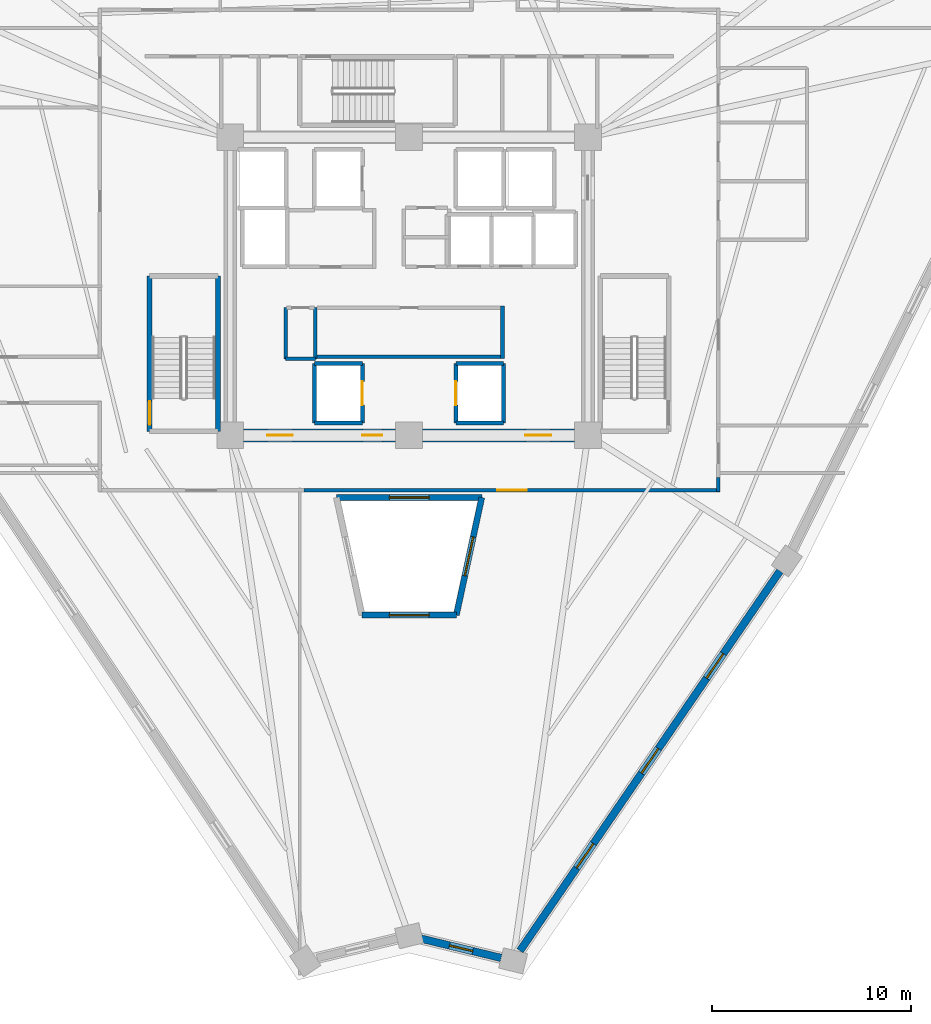
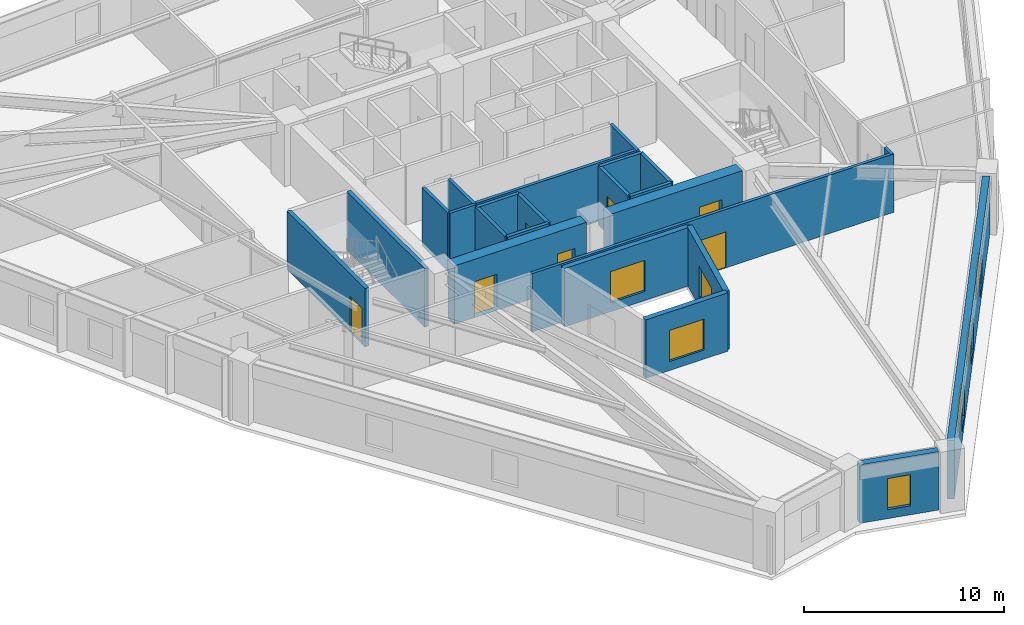
# One storey, part 3 of 8: 24 walls, 7 doors, 7 windows, 14 openings.
"""IFC4 building model written with IfcOpenShell, lengths in metres."""

from ifc_helpers import new_model, si_unit, direction, frame, frame_2d, origin, place, context, subcontext, project, spatial, rectangle, extrude, source, transform, mapped, material, layer, layer_set, type_object, element, fill, save


model = new_model("IFC4")

# Units and contexts
model_context = context("Model", 3, precision=1e-05, world=origin(), true_north=direction((0.0, 1.0)))
body_context = subcontext(model_context, "Body", "Model", "MODEL_VIEW")
ifc_project = project(units=[si_unit("LENGTHUNIT", "METRE"), si_unit("AREAUNIT", "SQUARE_METRE"), si_unit("VOLUMEUNIT", "CUBIC_METRE"), si_unit("PLANEANGLEUNIT", "RADIAN"), si_unit("MASSUNIT", "GRAM", prefix="KILO")], contexts=[model_context])

# Site, building, storey
site_placement = place(None, origin())
site = spatial("IfcSite", under=ifc_project, at=site_placement, CompositionType="ELEMENT")
building_placement = place(site_placement, origin())
building = spatial("IfcBuilding", under=site, at=building_placement, Name="Liaohun Quay Tower", CompositionType="ELEMENT")
storey_placement = place(building_placement, frame((0.0, 0.0, 247.5)))
storey = spatial("IfcBuildingStorey", under=building, at=storey_placement, Name="L64", CompositionType="ELEMENT", Elevation=247.5)

# Wall, opening, window
ifc_material_1 = material(Name="Concrete C50", Category="concrete")
ifc_layer_1 = layer(ifc_material_1, 0.300048828125, Name="Concrete C50", Category="concrete")
ifc_layer_set_1 = layer_set([ifc_layer_1], Name="Concrete C50")
wall_type_1 = type_object("IfcWallType", Name="WAL-ATR-300", PredefinedType="SOLIDWALL", material=ifc_layer_set_1)
wall_1_placement = place(storey_placement, frame((56.344970703125, 43.3701171875, 0.0), z_axis=(0.0, 0.0, 1.0), x_axis=(1.0, 0.0, 0.0)))
wall_1 = element("IfcWall", 1, at=wall_1_placement, inside=storey, type_object=wall_type_1, Name="L64 Atrium Fire Compartment Wall 2", PredefinedType="SOLIDWALL", context=body_context, shape_type="SweptSolid", body=[
    extrude(rectangle(XDim=7.31005859375, YDim=0.300048828125, at=frame_2d((3.655029296875, 0.0))), origin(), (0.0, 0.0, 1.0), 3.570068359375),
])
shared_shape_1 = source(origin(), body_context, "Body", "SweptSolid", [
    extrude(rectangle(XDim=2.0, YDim=1.89990234375, at=frame_2d((1.0, 0.949951171875))), frame((0.0, 0.159912109375, 0.0), z_axis=(0.0, -1.0, 0.0), x_axis=(1.0, 0.0, 0.0)), (0.0, 0.0, 1.0), 0.320068359375),
])
opening_1_placement = place(wall_1_placement, frame((2.655029296875, 0.0, 0.550048828125)))
opening_1 = element("IfcOpeningElement", 2, at=opening_1_placement, cuts=wall_1, Name="Opening W07", PredefinedType="OPENING", context=body_context, shape_type="MappedRepresentation", body=[
    mapped(shared_shape_1, transform((0.0, 0.0, 0.0), x_axis=(1.0, 0.0, 0.0), y_axis=(0.0, 1.0, 0.0), z_axis=(0.0, 0.0, 1.0), scale=1.0)),
])
ifc_material_2 = material(Name="Class A 180-min fire-resistant insulated glazing", Category="glass")
window_type_1 = type_object("IfcWindowType", Name="WIN-ATR-FIR", PartitioningType="DOUBLE_PANEL_VERTICAL", PredefinedType="WINDOW", material=ifc_material_2)
shared_shape_2 = source(origin(), body_context, "Body", "SweptSolid", [
    extrude(rectangle(XDim=2.0, YDim=1.89990234375, at=frame_2d((1.0, 0.949951171875))), frame((0.0, 0.030029296875, 0.0), z_axis=(0.0, -1.0, 0.0), x_axis=(1.0, 0.0, 0.0)), (0.0, 0.0, 1.0), 0.06005859375),
])
window_1_placement = place(opening_1_placement, origin())
window_1 = element("IfcWindow", 3, at=window_1_placement, inside=storey, type_object=window_type_1, Name="L64 Atrium Fire-Resistant Glazing W07-2", OverallHeight=1.89990234375, OverallWidth=2.0, PartitioningType="DOUBLE_PANEL_VERTICAL", PredefinedType="WINDOW", context=body_context, shape_type="MappedRepresentation", body=[
    mapped(shared_shape_2, transform((0.0, 0.0, 0.0), x_axis=(1.0, 0.0, 0.0), y_axis=(0.0, 1.0, 0.0), z_axis=(0.0, 0.0, 1.0), scale=1.0)),
])
fill(opening_1, window_1)

wall_2_placement = place(storey_placement, frame((63.655029296875, 43.3701171875, 0.0), z_axis=(0.0, 0.0, 1.0), x_axis=(-0.211319253415, -0.977417092717, 0.0)))
wall_2 = element("IfcWall", 4, at=wall_2_placement, inside=storey, type_object=wall_type_1, Name="L64 Atrium Fire Compartment Wall 3", PredefinedType="SOLIDWALL", context=body_context, shape_type="SweptSolid", body=[
    extrude(rectangle(XDim=6.052734375, YDim=0.300048828125, at=frame_2d((3.0263671875, 0.0))), origin(), (0.0, 0.0, 1.0), 3.570068359375),
])
opening_2_placement = place(wall_2_placement, frame((2.02587890625, 0.0, 0.550048828125)))
opening_2 = element("IfcOpeningElement", 5, at=opening_2_placement, cuts=wall_2, Name="Opening W07", PredefinedType="OPENING", context=body_context, shape_type="MappedRepresentation", body=[
    mapped(shared_shape_1, transform((0.0, 0.0, 0.0), x_axis=(1.0, 0.0, 0.0), y_axis=(0.0, 1.0, 0.0), z_axis=(0.0, 0.0, 1.0), scale=1.0)),
])
window_2_placement = place(opening_2_placement, origin())
window_2 = element("IfcWindow", 6, at=window_2_placement, inside=storey, type_object=window_type_1, Name="L64 Atrium Fire-Resistant Glazing W07-3", OverallHeight=1.89990234375, OverallWidth=2.0, PartitioningType="DOUBLE_PANEL_VERTICAL", PredefinedType="WINDOW", context=body_context, shape_type="MappedRepresentation", body=[
    mapped(shared_shape_2, transform((0.0, 0.0, 0.0), x_axis=(1.0, 0.0, 0.0), y_axis=(0.0, 1.0, 0.0), z_axis=(0.0, 0.0, 1.0), scale=1.0)),
])
fill(opening_2, window_2)

wall_3_placement = place(storey_placement, frame((62.3759765625, 37.4541015625, 0.0), z_axis=(0.0, 0.0, 1.0), x_axis=(-1.0, 0.0, 0.0)))
wall_3 = element("IfcWall", 7, at=wall_3_placement, inside=storey, type_object=wall_type_1, Name="L64 Atrium Fire Compartment Wall 4", PredefinedType="SOLIDWALL", context=body_context, shape_type="SweptSolid", body=[
    extrude(rectangle(XDim=4.751953125, YDim=0.300048828125, at=frame_2d((2.3759765625, 0.0))), origin(), (0.0, 0.0, 1.0), 3.570068359375),
])
opening_3_placement = place(wall_3_placement, frame((1.3759765625, 0.0, 0.550048828125)))
opening_3 = element("IfcOpeningElement", 8, at=opening_3_placement, cuts=wall_3, Name="Opening W07", PredefinedType="OPENING", context=body_context, shape_type="MappedRepresentation", body=[
    mapped(shared_shape_1, transform((0.0, 0.0, 0.0), x_axis=(1.0, 0.0, 0.0), y_axis=(0.0, 1.0, 0.0), z_axis=(0.0, 0.0, 1.0), scale=1.0)),
])
window_3_placement = place(opening_3_placement, origin())
window_3 = element("IfcWindow", 9, at=window_3_placement, inside=storey, type_object=window_type_1, Name="L64 Atrium Fire-Resistant Glazing W07-4", OverallHeight=1.89990234375, OverallWidth=2.0, PartitioningType="DOUBLE_PANEL_VERTICAL", PredefinedType="WINDOW", context=body_context, shape_type="MappedRepresentation", body=[
    mapped(shared_shape_2, transform((0.0, 0.0, 0.0), x_axis=(1.0, 0.0, 0.0), y_axis=(0.0, 1.0, 0.0), z_axis=(0.0, 0.0, 1.0), scale=1.0)),
])
fill(opening_3, window_3)

# Wall, opening, door
ifc_material_3 = material(Name="Concrete C55", Category="concrete")
ifc_layer_2 = layer(ifc_material_3, 0.64990234375, Name="Concrete C55", Category="concrete")
ifc_layer_set_2 = layer_set([ifc_layer_2], Name="Concrete C55")
wall_type_2 = type_object("IfcWallType", Name="WAL-COR-Z3", PredefinedType="SHEAR", material=ifc_layer_set_2)
wall_4_placement = place(storey_placement, frame((68.324951171875, 46.5, 0.0), z_axis=(0.0, 0.0, 1.0), x_axis=(-1.0, 0.0, 0.0)))
wall_4 = element("IfcWall", 10, at=wall_4_placement, inside=storey, type_object=wall_type_2, Name="L64 Central Core Shear Wall S-E", PredefinedType="SHEAR", context=body_context, shape_type="SweptSolid", body=[
    extrude(rectangle(XDim=7.64990234375, YDim=0.64990234375, at=frame_2d((3.824951171875, 0.0))), origin(), (0.0, 0.0, 1.0), 3.570068359375),
])
shared_shape_3 = source(origin(), body_context, "Body", "SweptSolid", [
    extrude(rectangle(XDim=1.300048828125, YDim=2.199951171875, at=frame_2d((0.64990234375, 1.10009765625))), frame((0.0, 0.3349609375, 0.0), z_axis=(0.0, -1.0, 0.0), x_axis=(1.0, 0.0, 0.0)), (0.0, 0.0, 1.0), 0.669921875),
])
opening_4_placement = place(wall_4_placement, frame((1.175048828125, 0.0, 0.0)))
opening_4 = element("IfcOpeningElement", 11, at=opening_4_placement, cuts=wall_4, Name="Opening FD1", PredefinedType="OPENING", context=body_context, shape_type="MappedRepresentation", body=[
    mapped(shared_shape_3, transform((0.0, 0.0, 0.0), x_axis=(1.0, 0.0, 0.0), y_axis=(0.0, 1.0, 0.0), z_axis=(0.0, 0.0, 1.0), scale=1.0)),
])
ifc_material_4 = material(Name="Galvanised steel smokeproof fire door", Category="steel")
door_type_1 = type_object("IfcDoorType", Name="DOR-FFL-1300", OperationType="NOTDEFINED", PredefinedType="DOOR", material=ifc_material_4)
shared_shape_4 = source(origin(), body_context, "Body", "SweptSolid", [
    extrude(rectangle(XDim=1.300048828125, YDim=2.199951171875, at=frame_2d((0.64990234375, 1.10009765625))), frame((0.0, 0.02490234375, 0.0), z_axis=(0.0, -1.0, 0.0), x_axis=(1.0, 0.0, 0.0)), (0.0, 0.0, 1.0), 0.050048828125),
])
door_1_placement = place(opening_4_placement, origin())
door_1 = element("IfcDoor", 12, at=door_1_placement, inside=storey, type_object=door_type_1, Name="L64 East Core Lift Lobby Smokeproof Door", OperationType="SINGLE_SWING_LEFT", OverallHeight=2.199951171875, OverallWidth=1.300048828125, PredefinedType="DOOR", context=body_context, shape_type="MappedRepresentation", body=[
    mapped(shared_shape_4, transform((0.0, 0.0, 0.0), x_axis=(1.0, 0.0, 0.0), y_axis=(0.0, 1.0, 0.0), z_axis=(0.0, 0.0, 1.0), scale=1.0)),
])
fill(opening_4, door_1)

# Wall, openings, doors
wall_5_placement = place(storey_placement, frame((59.324951171875, 46.5, 0.0), z_axis=(0.0, 0.0, 1.0), x_axis=(-1.0, 0.0, 0.0)))
wall_5 = element("IfcWall", 13, at=wall_5_placement, inside=storey, type_object=wall_type_2, Name="L64 Central Core Shear Wall S-W", PredefinedType="SHEAR", context=body_context, shape_type="SweptSolid", body=[
    extrude(rectangle(XDim=7.64990234375, YDim=0.64990234375, at=frame_2d((3.824951171875, 0.0))), origin(), (0.0, 0.0, 1.0), 3.570068359375),
])
opening_5_placement = place(wall_5_placement, frame((5.175048828125, 0.0, 0.0)))
opening_5 = element("IfcOpeningElement", 14, at=opening_5_placement, cuts=wall_5, Name="Opening FD1", PredefinedType="OPENING", context=body_context, shape_type="MappedRepresentation", body=[
    mapped(shared_shape_3, transform((0.0, 0.0, 0.0), x_axis=(1.0, 0.0, 0.0), y_axis=(0.0, 1.0, 0.0), z_axis=(0.0, 0.0, 1.0), scale=1.0)),
])
shared_shape_5 = source(origin(), body_context, "Body", "SweptSolid", [
    extrude(rectangle(XDim=1.0, YDim=2.199951171875, at=frame_2d((0.5, 1.10009765625))), frame((0.0, 0.3349609375, 0.0), z_axis=(0.0, -1.0, 0.0), x_axis=(1.0, 0.0, 0.0)), (0.0, 0.0, 1.0), 0.669921875),
])
opening_6_placement = place(wall_5_placement, frame((0.675048828125, 0.0, 0.0)))
opening_6 = element("IfcOpeningElement", 15, at=opening_6_placement, cuts=wall_5, Name="Opening FD2", PredefinedType="OPENING", context=body_context, shape_type="MappedRepresentation", body=[
    mapped(shared_shape_5, transform((0.0, 0.0, 0.0), x_axis=(1.0, 0.0, 0.0), y_axis=(0.0, 1.0, 0.0), z_axis=(0.0, 0.0, 1.0), scale=1.0)),
])
door_2_placement = place(opening_5_placement, origin())
door_2 = element("IfcDoor", 16, at=door_2_placement, inside=storey, type_object=door_type_1, Name="L64 West Core Lift Lobby Smokeproof Door", OperationType="SINGLE_SWING_RIGHT", OverallHeight=2.199951171875, OverallWidth=1.300048828125, PredefinedType="DOOR", context=body_context, shape_type="MappedRepresentation", body=[
    mapped(shared_shape_4, transform((0.0, 0.0, 0.0), x_axis=(1.0, 0.0, 0.0), y_axis=(0.0, 1.0, 0.0), z_axis=(0.0, 0.0, 1.0), scale=1.0)),
])
fill(opening_5, door_2)
ifc_material_5 = material(Name="Galvanised steel smokeproof lobby fire door", Category="steel")
door_type_2 = type_object("IfcDoorType", Name="DOR-FFL-1000", OperationType="NOTDEFINED", PredefinedType="DOOR", material=ifc_material_5)
shared_shape_6 = source(origin(), body_context, "Body", "SweptSolid", [
    extrude(rectangle(XDim=1.0, YDim=2.199951171875, at=frame_2d((0.5, 1.10009765625))), frame((0.0, 0.02490234375, 0.0), z_axis=(0.0, -1.0, 0.0), x_axis=(1.0, 0.0, 0.0)), (0.0, 0.0, 1.0), 0.050048828125),
])
door_3_placement = place(opening_6_placement, origin())
door_3 = element("IfcDoor", 17, at=door_3_placement, inside=storey, type_object=door_type_2, Name="L64 South Firefighting Lobby Smokeproof Door", OperationType="SINGLE_SWING_LEFT", OverallHeight=2.199951171875, OverallWidth=1.0, PredefinedType="DOOR", context=body_context, shape_type="MappedRepresentation", body=[
    mapped(shared_shape_6, transform((0.0, 0.0, 0.0), x_axis=(1.0, 0.0, 0.0), y_axis=(0.0, 1.0, 0.0), z_axis=(0.0, 0.0, 1.0), scale=1.0)),
])
fill(opening_6, door_3)

# Wall, opening, window
ifc_material_6 = material(Name="Precast concrete C50 insulated sandwich", Category="concrete")
ifc_layer_3 = layer(ifc_material_6, 0.3798828125, Name="Precast concrete C50 insulated sandwich", Category="concrete")
ifc_layer_set_3 = layer_set([ifc_layer_3], Name="Precast concrete C50 insulated sandwich")
wall_type_3 = type_object("IfcWallType", Name="WAL-EXT-Z34", PredefinedType="SOLIDWALL", material=ifc_layer_set_3)
wall_6_placement = place(storey_placement, frame((60.597900390625, 21.177001953125, 0.0), z_axis=(0.0, 0.0, 1.0), x_axis=(0.972035019056, -0.234835946414, 0.0)))
wall_6 = element("IfcWall", 18, at=wall_6_placement, inside=storey, type_object=wall_type_3, Name="L64 Brutalist Precast Pier Wall 01", PredefinedType="SOLIDWALL", context=body_context, shape_type="SweptSolid", body=[
    extrude(rectangle(XDim=4.15234375, YDim=0.3798828125, at=frame_2d((2.076171875, 0.0))), origin(), (0.0, 0.0, 1.0), 3.570068359375),
])
shared_shape_7 = source(origin(), body_context, "Body", "SweptSolid", [
    extrude(rectangle(XDim=1.199951171875, YDim=1.89990234375, at=frame_2d((0.60009765625, 0.949951171875))), frame((0.0, 0.199951171875, 0.0), z_axis=(0.0, -1.0, 0.0), x_axis=(1.0, 0.0, 0.0)), (0.0, 0.0, 1.0), 0.39990234375),
])
opening_7_placement = place(wall_6_placement, frame((1.47607421875, 0.0, 0.550048828125)))
opening_7 = element("IfcOpeningElement", 19, at=opening_7_placement, cuts=wall_6, Name="Opening W05", PredefinedType="OPENING", context=body_context, shape_type="MappedRepresentation", body=[
    mapped(shared_shape_7, transform((0.0, 0.0, 0.0), x_axis=(1.0, 0.0, 0.0), y_axis=(0.0, 1.0, 0.0), z_axis=(0.0, 0.0, 1.0), scale=1.0)),
])
ifc_material_7 = material(Name="Triple Low-E corner notch glazing", Category="glass")
window_type_2 = type_object("IfcWindowType", Name="WIN-NOTCH", PartitioningType="SINGLE_PANEL", PredefinedType="WINDOW", material=ifc_material_7)
shared_shape_8 = source(origin(), body_context, "Body", "SweptSolid", [
    extrude(rectangle(XDim=1.199951171875, YDim=1.89990234375, at=frame_2d((0.60009765625, 0.949951171875))), frame((0.0, 0.030029296875, 0.0), z_axis=(0.0, -1.0, 0.0), x_axis=(1.0, 0.0, 0.0)), (0.0, 0.0, 1.0), 0.06005859375),
])
window_4_placement = place(opening_7_placement, origin())
window_4 = element("IfcWindow", 20, at=window_4_placement, inside=storey, type_object=window_type_2, Name="L64 Corner Notch Window W05-01", OverallHeight=1.89990234375, OverallWidth=1.199951171875, PartitioningType="SINGLE_PANEL", PredefinedType="WINDOW", context=body_context, shape_type="MappedRepresentation", body=[
    mapped(shared_shape_8, transform((0.0, 0.0, 0.0), x_axis=(1.0, 0.0, 0.0), y_axis=(0.0, 1.0, 0.0), z_axis=(0.0, 0.0, 1.0), scale=1.0)),
])
fill(opening_7, window_4)

# Wall, openings, windows
wall_7_placement = place(storey_placement, frame((65.5791015625, 20.56494140625, 0.0), z_axis=(0.0, 0.0, 1.0), x_axis=(0.564873617439, 0.825177433235, 0.0)))
wall_7 = element("IfcWall", 21, at=wall_7_placement, inside=storey, type_object=wall_type_3, Name="L64 Brutalist Precast Pier Wall 02", PredefinedType="SOLIDWALL", context=body_context, shape_type="SweptSolid", body=[
    extrude(rectangle(XDim=23.15869140625, YDim=0.3798828125, at=frame_2d((11.579345703125, 0.0))), origin(), (0.0, 0.0, 1.0), 3.570068359375),
])
shared_shape_9 = source(origin(), body_context, "Body", "SweptSolid", [
    extrude(rectangle(XDim=1.5, YDim=1.89990234375, at=frame_2d((0.75, 0.949951171875))), frame((0.0, 0.199951171875, 0.0), z_axis=(0.0, -1.0, 0.0), x_axis=(1.0, 0.0, 0.0)), (0.0, 0.0, 1.0), 0.39990234375),
])
opening_8_placement = place(wall_7_placement, frame((5.0400390625, 0.0, 0.550048828125)))
opening_8 = element("IfcOpeningElement", 22, at=opening_8_placement, cuts=wall_7, Name="Opening W03", PredefinedType="OPENING", context=body_context, shape_type="MappedRepresentation", body=[
    mapped(shared_shape_9, transform((0.0, 0.0, 0.0), x_axis=(1.0, 0.0, 0.0), y_axis=(0.0, 1.0, 0.0), z_axis=(0.0, 0.0, 1.0), scale=1.0)),
])
opening_9_placement = place(wall_7_placement, frame((10.8291015625, 0.0, 0.550048828125)))
opening_9 = element("IfcOpeningElement", 23, at=opening_9_placement, cuts=wall_7, Name="Opening W03", PredefinedType="OPENING", context=body_context, shape_type="MappedRepresentation", body=[
    mapped(shared_shape_9, transform((0.0, 0.0, 0.0), x_axis=(1.0, 0.0, 0.0), y_axis=(0.0, 1.0, 0.0), z_axis=(0.0, 0.0, 1.0), scale=1.0)),
])
opening_10_placement = place(wall_7_placement, frame((16.618896484375, 0.0, 0.550048828125)))
opening_10 = element("IfcOpeningElement", 24, at=opening_10_placement, cuts=wall_7, Name="Opening W03", PredefinedType="OPENING", context=body_context, shape_type="MappedRepresentation", body=[
    mapped(shared_shape_9, transform((0.0, 0.0, 0.0), x_axis=(1.0, 0.0, 0.0), y_axis=(0.0, 1.0, 0.0), z_axis=(0.0, 0.0, 1.0), scale=1.0)),
])
ifc_material_8 = material(Name="Triple Low-E argon glazing in thermally broken aluminium", Category="aluminium")
window_type_3 = type_object("IfcWindowType", Name="WIN-PUN-Z3", PartitioningType="DOUBLE_PANEL_VERTICAL", PredefinedType="WINDOW", material=ifc_material_8)
shared_shape_10 = source(origin(), body_context, "Body", "SweptSolid", [
    extrude(rectangle(XDim=1.5, YDim=1.89990234375, at=frame_2d((0.75, 0.949951171875))), frame((0.0, 0.030029296875, 0.0), z_axis=(0.0, -1.0, 0.0), x_axis=(1.0, 0.0, 0.0)), (0.0, 0.0, 1.0), 0.06005859375),
])
window_5_placement = place(opening_8_placement, origin())
window_5 = element("IfcWindow", 25, at=window_5_placement, inside=storey, type_object=window_type_3, Name="L64 Recessed Cold-Climate Punched Window 02-1", OverallHeight=1.89990234375, OverallWidth=1.5, PartitioningType="DOUBLE_PANEL_VERTICAL", PredefinedType="WINDOW", context=body_context, shape_type="MappedRepresentation", body=[
    mapped(shared_shape_10, transform((0.0, 0.0, 0.0), x_axis=(1.0, 0.0, 0.0), y_axis=(0.0, 1.0, 0.0), z_axis=(0.0, 0.0, 1.0), scale=1.0)),
])
fill(opening_8, window_5)
window_6_placement = place(opening_9_placement, origin())
window_6 = element("IfcWindow", 26, at=window_6_placement, inside=storey, type_object=window_type_3, Name="L64 Recessed Cold-Climate Punched Window 02-2", OverallHeight=1.89990234375, OverallWidth=1.5, PartitioningType="DOUBLE_PANEL_VERTICAL", PredefinedType="WINDOW", context=body_context, shape_type="MappedRepresentation", body=[
    mapped(shared_shape_10, transform((0.0, 0.0, 0.0), x_axis=(1.0, 0.0, 0.0), y_axis=(0.0, 1.0, 0.0), z_axis=(0.0, 0.0, 1.0), scale=1.0)),
])
fill(opening_9, window_6)
window_7_placement = place(opening_10_placement, origin())
window_7 = element("IfcWindow", 27, at=window_7_placement, inside=storey, type_object=window_type_3, Name="L64 Recessed Cold-Climate Punched Window 02-3", OverallHeight=1.89990234375, OverallWidth=1.5, PartitioningType="DOUBLE_PANEL_VERTICAL", PredefinedType="WINDOW", context=body_context, shape_type="MappedRepresentation", body=[
    mapped(shared_shape_10, transform((0.0, 0.0, 0.0), x_axis=(1.0, 0.0, 0.0), y_axis=(0.0, 1.0, 0.0), z_axis=(0.0, 0.0, 1.0), scale=1.0)),
])
fill(opening_10, window_7)

# Wall, opening, door
ifc_material_9 = material(Name="Autoclaved aerated concrete blockwork", Category="masonry")
ifc_layer_4 = layer(ifc_material_9, 0.179931640625, Name="Autoclaved aerated concrete blockwork", Category="masonry")
ifc_layer_set_4 = layer_set([ifc_layer_4], Name="Autoclaved aerated concrete blockwork")
wall_type_4 = type_object("IfcWallType", Name="WAL-PRT-COR", PredefinedType="PARTITIONING", material=ifc_layer_set_4)
wall_8_placement = place(storey_placement, frame((75.6298828125, 43.739990234375, 0.0), z_axis=(0.0, 0.0, 1.0), x_axis=(-1.0, 0.0, 0.0)))
wall_8 = element("IfcWall", 28, at=wall_8_placement, inside=storey, type_object=wall_type_4, Name="L64 Interior Partition Wall 027", PredefinedType="PARTITIONING", context=body_context, shape_type="SweptSolid", body=[
    extrude(rectangle(XDim=20.914794921875, YDim=0.179931640625, at=frame_2d((10.45751953125, 0.0))), origin(), (0.0, 0.0, 1.0), 3.570068359375),
])
shared_shape_11 = source(origin(), body_context, "Body", "SweptSolid", [
    extrude(rectangle(XDim=1.5, YDim=2.199951171875, at=frame_2d((0.75, 1.10009765625))), frame((0.0, 0.099853515625, 0.0), z_axis=(0.0, -1.0, 0.0), x_axis=(1.0, 0.0, 0.0)), (0.0, 0.0, 1.0), 0.199951171875),
])
opening_11_placement = place(wall_8_placement, frame((9.70703125, 0.0, 0.0)))
opening_11 = element("IfcOpeningElement", 29, at=opening_11_placement, cuts=wall_8, Name="Opening OD2", PredefinedType="OPENING", context=body_context, shape_type="MappedRepresentation", body=[
    mapped(shared_shape_11, transform((0.0, 0.0, 0.0), x_axis=(1.0, 0.0, 0.0), y_axis=(0.0, 1.0, 0.0), z_axis=(0.0, 0.0, 1.0), scale=1.0)),
])
ifc_material_10 = material(Name="Acoustic oak veneer double door")
door_type_3 = type_object("IfcDoorType", Name="DOR-OFF-1500", OperationType="DOUBLE_DOOR_SINGLE_SWING", PredefinedType="DOOR", material=ifc_material_10)
shared_shape_12 = source(origin(), body_context, "Body", "SweptSolid", [
    extrude(rectangle(XDim=1.5, YDim=2.199951171875, at=frame_2d((0.75, 1.10009765625))), frame((0.0, 0.02490234375, 0.0), z_axis=(0.0, -1.0, 0.0), x_axis=(1.0, 0.0, 0.0)), (0.0, 0.0, 1.0), 0.050048828125),
])
door_4_placement = place(opening_11_placement, origin())
door_4 = element("IfcDoor", 30, at=door_4_placement, inside=storey, type_object=door_type_3, Name="L64 Client Reception Office 12 Door", OperationType="DOUBLE_DOOR_SINGLE_SWING", OverallHeight=2.199951171875, OverallWidth=1.5, PredefinedType="DOOR", context=body_context, shape_type="MappedRepresentation", body=[
    mapped(shared_shape_12, transform((0.0, 0.0, 0.0), x_axis=(1.0, 0.0, 0.0), y_axis=(0.0, 1.0, 0.0), z_axis=(0.0, 0.0, 1.0), scale=1.0)),
])
fill(opening_11, door_4)

# Walls
wall_9_placement = place(storey_placement, frame((53.7900390625, 50.35009765625, 0.0), z_axis=(0.0, 0.0, 1.0), x_axis=(0.0, 1.0, 0.0)))
element("IfcWall", 31, at=wall_9_placement, inside=storey, type_object=wall_type_4, Name="L64 Interior Partition Wall 032", PredefinedType="PARTITIONING", context=body_context, shape_type="SweptSolid", body=[
    extrude(rectangle(XDim=2.56982421875, YDim=0.179931640625, at=frame_2d((1.284912109375, 0.0))), origin(), (0.0, 0.0, 1.0), 3.570068359375),
])
wall_10_placement = place(storey_placement, frame((53.7900390625, 50.35009765625, 0.0), z_axis=(0.0, 0.0, 1.0), x_axis=(1.0, 0.0, 0.0)))
element("IfcWall", 32, at=wall_10_placement, inside=storey, type_object=wall_type_4, Name="L64 Interior Partition Wall 033", PredefinedType="PARTITIONING", context=body_context, shape_type="SweptSolid", body=[
    extrude(rectangle(XDim=1.489990234375, YDim=0.179931640625, at=frame_2d((0.7451171875, 0.0))), origin(), (0.0, 0.0, 1.0), 3.570068359375),
])
wall_11_placement = place(storey_placement, frame((55.280029296875, 50.35009765625, 0.0), z_axis=(0.0, 0.0, 1.0), x_axis=(0.0, 1.0, 0.0)))
element("IfcWall", 33, at=wall_11_placement, inside=storey, type_object=wall_type_4, Name="L64 Interior Partition Wall 034", PredefinedType="PARTITIONING", context=body_context, shape_type="SweptSolid", body=[
    extrude(rectangle(XDim=2.56982421875, YDim=0.179931640625, at=frame_2d((1.284912109375, 0.0))), origin(), (0.0, 0.0, 1.0), 3.570068359375),
])
wall_12_placement = place(storey_placement, frame((75.56005859375, 44.385009765625, 0.0), z_axis=(0.0, 0.0, 1.0), x_axis=(0.0, -1.0, 0.0)))
element("IfcWall", 34, at=wall_12_placement, inside=storey, type_object=wall_type_4, Name="L64 Interior Partition Wall 053", PredefinedType="PARTITIONING", context=body_context, shape_type="SweptSolid", body=[
    extrude(rectangle(XDim=0.715087890625, YDim=0.179931640625, at=frame_2d((0.357421875, 0.0))), origin(), (0.0, 0.0, 1.0), 3.570068359375),
])
wall_13_placement = place(storey_placement, frame((64.699951171875, 50.360107421875, 0.0), z_axis=(0.0, 0.0, 1.0), x_axis=(0.0, 1.0, 0.0)))
element("IfcWall", 35, at=wall_13_placement, inside=storey, type_object=wall_type_4, Name="L64 Interior Partition Wall 066", PredefinedType="PARTITIONING", context=body_context, shape_type="SweptSolid", body=[
    extrude(rectangle(XDim=2.64990234375, YDim=0.179931640625, at=frame_2d((1.324951171875, 0.0))), origin(), (0.0, 0.0, 1.0), 3.570068359375),
])
wall_14_placement = place(storey_placement, frame((55.3701171875, 50.449951171875, 0.0), z_axis=(0.0, 0.0, 1.0), x_axis=(1.0, 0.0, 0.0)))
element("IfcWall", 36, at=wall_14_placement, inside=storey, type_object=wall_type_4, Name="L64 Interior Partition Wall 067", PredefinedType="PARTITIONING", context=body_context, shape_type="SweptSolid", body=[
    extrude(rectangle(XDim=9.239990234375, YDim=0.179931640625, at=frame_2d((4.6201171875, 0.0))), origin(), (0.0, 0.0, 1.0), 3.570068359375),
])
ifc_layer_5 = layer(ifc_material_1, 0.239990234375, Name="Concrete C50", Category="concrete")
ifc_layer_set_5 = layer_set([ifc_layer_5], Name="Concrete C50")
wall_type_5 = type_object("IfcWallType", Name="WAL-SHF-200", PredefinedType="SOLIDWALL", material=ifc_layer_set_5)
wall_15_placement = place(storey_placement, frame((50.3798828125, 46.699951171875, 0.0), z_axis=(0.0, 0.0, 1.0), x_axis=(0.0, 1.0, 0.0)))
element("IfcWall", 37, at=wall_15_placement, inside=storey, type_object=wall_type_5, Name="L64 Stairwell ST-1 Structural Core Wall E", PredefinedType="SOLIDWALL", context=body_context, shape_type="SweptSolid", body=[
    extrude(rectangle(XDim=7.820068359375, YDim=0.239990234375, at=frame_2d((3.91015625, 0.0))), origin(), (0.0, 0.0, 1.0), 3.570068359375),
])

# Wall, opening, door
wall_16_placement = place(storey_placement, frame((46.93994140625, 54.52001953125, 0.0), z_axis=(0.0, 0.0, 1.0), x_axis=(0.0, -1.0, 0.0)))
wall_16 = element("IfcWall", 38, at=wall_16_placement, inside=storey, type_object=wall_type_5, Name="L64 Stairwell ST-1 Structural Core Wall W", PredefinedType="SOLIDWALL", context=body_context, shape_type="SweptSolid", body=[
    extrude(rectangle(XDim=7.820068359375, YDim=0.239990234375, at=frame_2d((3.91015625, 0.0))), origin(), (0.0, 0.0, 1.0), 3.570068359375),
])
shared_shape_13 = source(origin(), body_context, "Body", "SweptSolid", [
    extrude(rectangle(XDim=1.199951171875, YDim=2.199951171875, at=frame_2d((0.60009765625, 1.10009765625))), frame((0.0, 0.1298828125, 0.0), z_axis=(0.0, -1.0, 0.0), x_axis=(1.0, 0.0, 0.0)), (0.0, 0.0, 1.0), 0.260009765625),
])
opening_12_placement = place(wall_16_placement, frame((6.300048828125, 0.0, 0.0)))
opening_12 = element("IfcOpeningElement", 39, at=opening_12_placement, cuts=wall_16, Name="Opening SD1", PredefinedType="OPENING", context=body_context, shape_type="MappedRepresentation", body=[
    mapped(shared_shape_13, transform((0.0, 0.0, 0.0), x_axis=(1.0, 0.0, 0.0), y_axis=(0.0, 1.0, 0.0), z_axis=(0.0, 0.0, 1.0), scale=1.0)),
])
ifc_material_11 = material(Name="Galvanised steel fire door", Category="steel")
door_type_4 = type_object("IfcDoorType", Name="DOR-STR-1200", OperationType="NOTDEFINED", PredefinedType="DOOR", material=ifc_material_11)
shared_shape_14 = source(origin(), body_context, "Body", "SweptSolid", [
    extrude(rectangle(XDim=1.199951171875, YDim=2.199951171875, at=frame_2d((0.60009765625, 1.10009765625))), frame((0.0, 0.02490234375, 0.0), z_axis=(0.0, -1.0, 0.0), x_axis=(1.0, 0.0, 0.0)), (0.0, 0.0, 1.0), 0.050048828125),
])
door_5_placement = place(opening_12_placement, origin())
door_5 = element("IfcDoor", 40, at=door_5_placement, inside=storey, type_object=door_type_4, Name="L64 Protected Stair ST-1 Fire Door", OperationType="SINGLE_SWING_LEFT", OverallHeight=2.199951171875, OverallWidth=1.199951171875, PredefinedType="DOOR", context=body_context, shape_type="MappedRepresentation", body=[
    mapped(shared_shape_14, transform((0.0, 0.0, 0.0), x_axis=(1.0, 0.0, 0.0), y_axis=(0.0, 1.0, 0.0), z_axis=(0.0, 0.0, 1.0), scale=1.0)),
])
fill(opening_12, door_5)

# Wall
wall_17_placement = place(storey_placement, frame((55.25, 47.1201171875, 0.0), z_axis=(0.0, 0.0, 1.0), x_axis=(1.0, 0.0, 0.0)))
element("IfcWall", 41, at=wall_17_placement, inside=storey, type_object=wall_type_5, Name="L64 Lift FF-01 Hoistway Wall S", PredefinedType="SOLIDWALL", context=body_context, shape_type="SweptSolid", body=[
    extrude(rectangle(XDim=2.39990234375, YDim=0.199951171875, at=frame_2d((1.199951171875, 0.0))), origin(), (0.0, 0.0, 1.0), 3.570068359375),
])

# Wall, opening, door
wall_18_placement = place(storey_placement, frame((57.64990234375, 47.1201171875, 0.0), z_axis=(0.0, 0.0, 1.0), x_axis=(0.0, 1.0, 0.0)))
wall_18 = element("IfcWall", 42, at=wall_18_placement, inside=storey, type_object=wall_type_5, Name="L64 Lift FF-01 Hoistway Wall E", PredefinedType="SOLIDWALL", context=body_context, shape_type="SweptSolid", body=[
    extrude(rectangle(XDim=3.0, YDim=0.199951171875, at=frame_2d((1.5, 0.0))), origin(), (0.0, 0.0, 1.0), 3.570068359375),
])
shared_shape_15 = source(origin(), body_context, "Body", "SweptSolid", [
    extrude(rectangle(XDim=1.199951171875, YDim=2.300048828125, at=frame_2d((0.60009765625, 1.14990234375))), frame((0.0, 0.10986328125, 0.0), z_axis=(0.0, -1.0, 0.0), x_axis=(1.0, 0.0, 0.0)), (0.0, 0.0, 1.0), 0.219970703125),
])
opening_13_placement = place(wall_18_placement, frame((0.89990234375, 0.0, 0.0)))
opening_13 = element("IfcOpeningElement", 43, at=opening_13_placement, cuts=wall_18, Name="Opening LD2", PredefinedType="OPENING", context=body_context, shape_type="MappedRepresentation", body=[
    mapped(shared_shape_15, transform((0.0, 0.0, 0.0), x_axis=(1.0, 0.0, 0.0), y_axis=(0.0, 1.0, 0.0), z_axis=(0.0, 0.0, 1.0), scale=1.0)),
])
ifc_material_12 = material(Name="Brushed stainless steel stretcher landing door", Category="steel")
door_type_5 = type_object("IfcDoorType", Name="DOR-LFT-1200", OperationType="SLIDING_TO_LEFT", PredefinedType="DOOR", material=ifc_material_12)
shared_shape_16 = source(origin(), body_context, "Body", "SweptSolid", [
    extrude(rectangle(XDim=1.199951171875, YDim=2.300048828125, at=frame_2d((0.60009765625, 1.14990234375))), frame((0.0, 0.02490234375, 0.0), z_axis=(0.0, -1.0, 0.0), x_axis=(1.0, 0.0, 0.0)), (0.0, 0.0, 1.0), 0.050048828125),
])
door_6_placement = place(opening_13_placement, origin())
door_6 = element("IfcDoor", 44, at=door_6_placement, inside=storey, type_object=door_type_5, Name="L64 Lift FF-01 Sliding Landing Door", OperationType="SLIDING_TO_LEFT", OverallHeight=2.300048828125, OverallWidth=1.199951171875, PredefinedType="DOOR", context=body_context, shape_type="MappedRepresentation", body=[
    mapped(shared_shape_16, transform((0.0, 0.0, 0.0), x_axis=(1.0, 0.0, 0.0), y_axis=(0.0, 1.0, 0.0), z_axis=(0.0, 0.0, 1.0), scale=1.0)),
])
fill(opening_13, door_6)

# Walls
wall_19_placement = place(storey_placement, frame((57.64990234375, 50.1201171875, 0.0), z_axis=(0.0, 0.0, 1.0), x_axis=(-1.0, 0.0, 0.0)))
element("IfcWall", 45, at=wall_19_placement, inside=storey, type_object=wall_type_5, Name="L64 Lift FF-01 Hoistway Wall N", PredefinedType="SOLIDWALL", context=body_context, shape_type="SweptSolid", body=[
    extrude(rectangle(XDim=2.39990234375, YDim=0.199951171875, at=frame_2d((1.199951171875, 0.0))), origin(), (0.0, 0.0, 1.0), 3.570068359375),
])
wall_20_placement = place(storey_placement, frame((55.25, 50.1201171875, 0.0), z_axis=(0.0, 0.0, 1.0), x_axis=(0.0, -1.0, 0.0)))
element("IfcWall", 46, at=wall_20_placement, inside=storey, type_object=wall_type_5, Name="L64 Lift FF-01 Hoistway Wall W", PredefinedType="SOLIDWALL", context=body_context, shape_type="SweptSolid", body=[
    extrude(rectangle(XDim=3.0, YDim=0.199951171875, at=frame_2d((1.5, 0.0))), origin(), (0.0, 0.0, 1.0), 3.570068359375),
])
wall_21_placement = place(storey_placement, frame((62.35009765625, 47.1201171875, 0.0), z_axis=(0.0, 0.0, 1.0), x_axis=(1.0, 0.0, 0.0)))
element("IfcWall", 47, at=wall_21_placement, inside=storey, type_object=wall_type_5, Name="L64 Lift FF-02 Hoistway Wall S", PredefinedType="SOLIDWALL", context=body_context, shape_type="SweptSolid", body=[
    extrude(rectangle(XDim=2.39990234375, YDim=0.199951171875, at=frame_2d((1.199951171875, 0.0))), origin(), (0.0, 0.0, 1.0), 3.570068359375),
])
wall_22_placement = place(storey_placement, frame((64.75, 47.1201171875, 0.0), z_axis=(0.0, 0.0, 1.0), x_axis=(0.0, 1.0, 0.0)))
element("IfcWall", 48, at=wall_22_placement, inside=storey, type_object=wall_type_5, Name="L64 Lift FF-02 Hoistway Wall E", PredefinedType="SOLIDWALL", context=body_context, shape_type="SweptSolid", body=[
    extrude(rectangle(XDim=3.0, YDim=0.199951171875, at=frame_2d((1.5, 0.0))), origin(), (0.0, 0.0, 1.0), 3.570068359375),
])
wall_23_placement = place(storey_placement, frame((64.75, 50.1201171875, 0.0), z_axis=(0.0, 0.0, 1.0), x_axis=(-1.0, 0.0, 0.0)))
element("IfcWall", 49, at=wall_23_placement, inside=storey, type_object=wall_type_5, Name="L64 Lift FF-02 Hoistway Wall N", PredefinedType="SOLIDWALL", context=body_context, shape_type="SweptSolid", body=[
    extrude(rectangle(XDim=2.39990234375, YDim=0.199951171875, at=frame_2d((1.199951171875, 0.0))), origin(), (0.0, 0.0, 1.0), 3.570068359375),
])

# Wall, opening, door
wall_24_placement = place(storey_placement, frame((62.35009765625, 50.1201171875, 0.0), z_axis=(0.0, 0.0, 1.0), x_axis=(0.0, -1.0, 0.0)))
wall_24 = element("IfcWall", 50, at=wall_24_placement, inside=storey, type_object=wall_type_5, Name="L64 Lift FF-02 Hoistway Wall W", PredefinedType="SOLIDWALL", context=body_context, shape_type="SweptSolid", body=[
    extrude(rectangle(XDim=3.0, YDim=0.199951171875, at=frame_2d((1.5, 0.0))), origin(), (0.0, 0.0, 1.0), 3.570068359375),
])
opening_14_placement = place(wall_24_placement, frame((0.89990234375, 0.0, 0.0)))
opening_14 = element("IfcOpeningElement", 51, at=opening_14_placement, cuts=wall_24, Name="Opening LD2", PredefinedType="OPENING", context=body_context, shape_type="MappedRepresentation", body=[
    mapped(shared_shape_15, transform((0.0, 0.0, 0.0), x_axis=(1.0, 0.0, 0.0), y_axis=(0.0, 1.0, 0.0), z_axis=(0.0, 0.0, 1.0), scale=1.0)),
])
door_7_placement = place(opening_14_placement, origin())
door_7 = element("IfcDoor", 52, at=door_7_placement, inside=storey, type_object=door_type_5, Name="L64 Lift FF-02 Sliding Landing Door", OperationType="SLIDING_TO_LEFT", OverallHeight=2.300048828125, OverallWidth=1.199951171875, PredefinedType="DOOR", context=body_context, shape_type="MappedRepresentation", body=[
    mapped(shared_shape_16, transform((0.0, 0.0, 0.0), x_axis=(1.0, 0.0, 0.0), y_axis=(0.0, 1.0, 0.0), z_axis=(0.0, 0.0, 1.0), scale=1.0)),
])
fill(opening_14, door_7)

save(model, "model.ifc")
